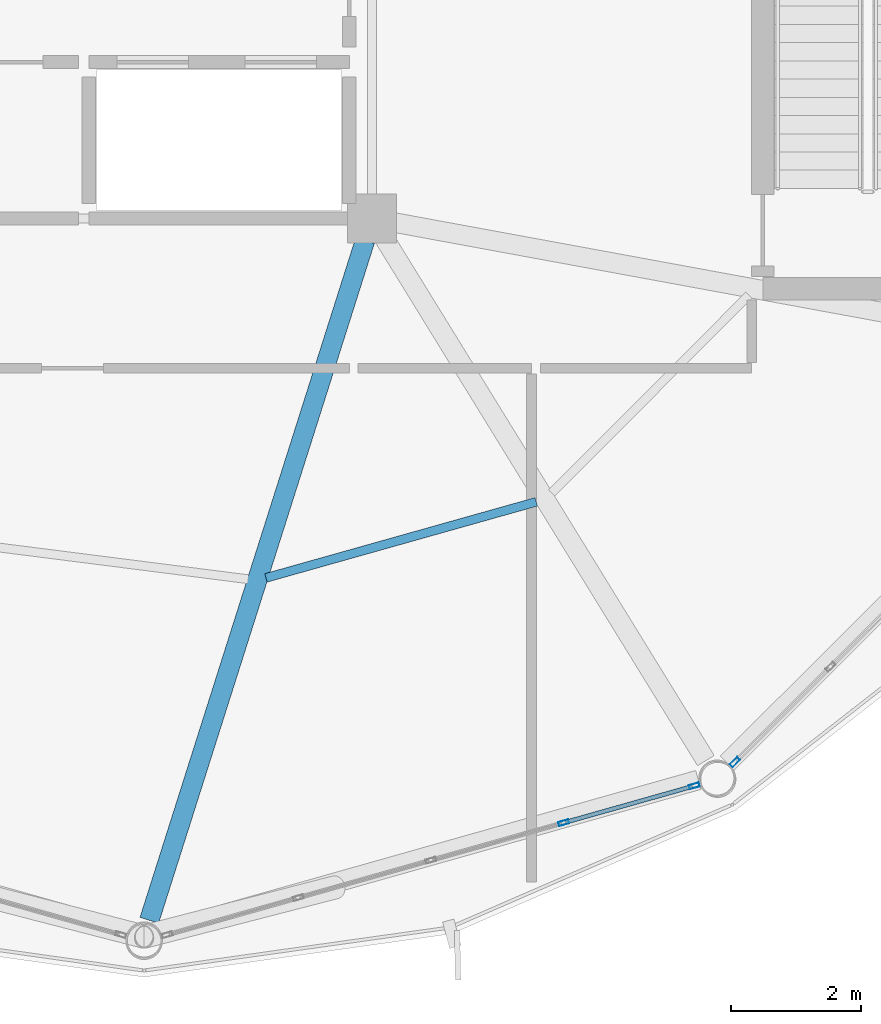
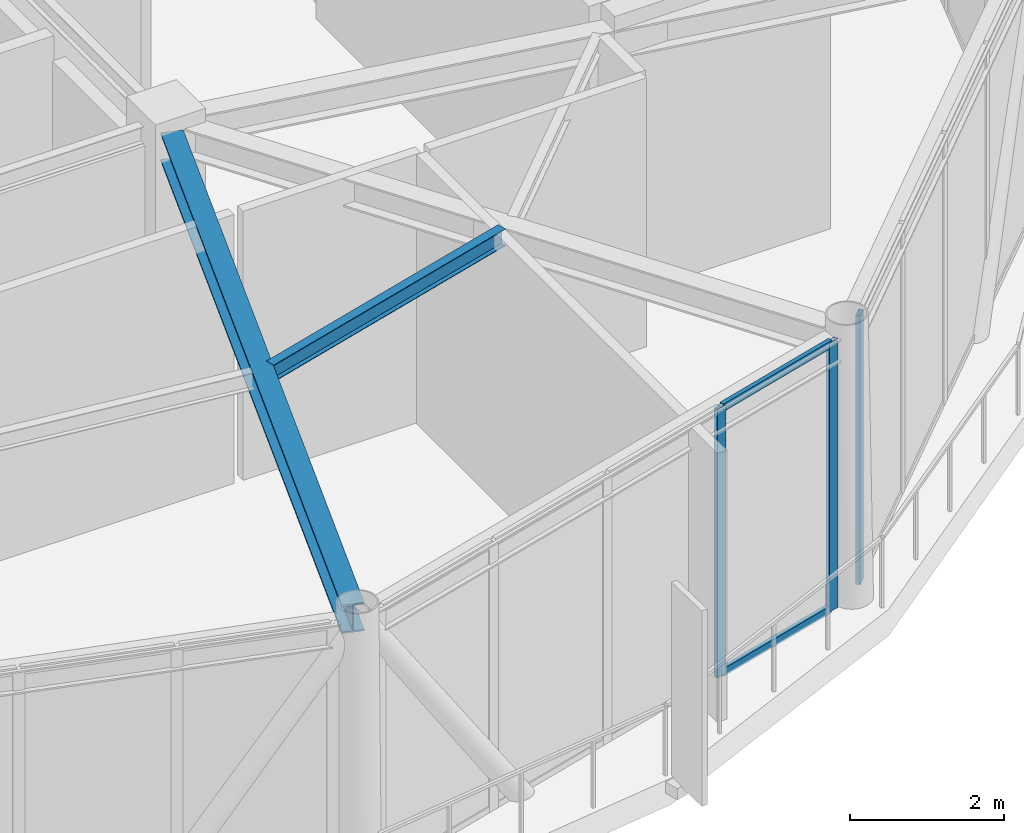
# One storey, part 7 of 26: 5 members, 2 beams, 2 elements without a shape of their own.
"""IFC4 building model written with IfcOpenShell, lengths in metres."""

from ifc_helpers import new_model, si_unit, direction, frame, origin, origin_2d, place, context, subcontext, project, spatial, hollow_rectangle, i_section, extrude, material, layer, layer_set, material_profile, profile_set, type_object, element, aggregate, save


model = new_model("IFC4")

# Units and contexts
model_context = context("Model", 3, precision=1e-05, world=origin(), true_north=direction((0.0, 1.0)))
body_context = subcontext(model_context, "Body", "Model", "MODEL_VIEW")
ifc_project = project(units=[si_unit("LENGTHUNIT", "METRE"), si_unit("AREAUNIT", "SQUARE_METRE"), si_unit("VOLUMEUNIT", "CUBIC_METRE"), si_unit("PLANEANGLEUNIT", "RADIAN"), si_unit("MASSUNIT", "GRAM", prefix="KILO")], contexts=[model_context])

# Site, building, storey
site_placement = place(None, origin())
site = spatial("IfcSite", under=ifc_project, at=site_placement, CompositionType="ELEMENT")
building_placement = place(site_placement, origin())
building = spatial("IfcBuilding", under=site, at=building_placement, Name="Varnakorn Sky Granary", CompositionType="ELEMENT")
storey_placement = place(building_placement, frame((0.0, 0.0, 289.5)))
storey = spatial("IfcBuildingStorey", under=building, at=storey_placement, Name="L74", CompositionType="ELEMENT", Elevation=289.5)

# Beams
ifc_material_1 = material(Name="Steel S355JR", Category="steel")
ifc_material_profile_1 = material_profile(ifc_material_1, i_section(OverallWidth=0.300048828125, OverallDepth=0.449951171875, WebThickness=0.013916015625, FlangeThickness=0.02587890625, at=origin_2d()), Name="HE 450 B")
ifc_profile_set_1 = profile_set([ifc_material_profile_1], Name="Steel S355JR")
beam_type_1 = type_object("IfcBeamType", Name="BM-RAD-Z5", PredefinedType="BEAM", material=ifc_profile_set_1)
beam_1_placement = place(storey_placement, frame((8.24267578125, -6.9384765625, 4.034912109375), z_axis=(-0.302491373228, -0.95315212276, 0.0), x_axis=(0.95315212276, -0.302491373228, 0.0)))
element("IfcBeam", 1, at=beam_1_placement, inside=storey, type_object=beam_type_1, Name="Radial Floor Girder RG10 L74", PredefinedType="BEAM", context=body_context, shape_type="SweptSolid", body=[
    extrude(i_section(OverallWidth=0.300048828125, OverallDepth=0.449951171875, WebThickness=0.013916015625, FlangeThickness=0.02587890625, at=origin_2d()), origin(), (0.0, 0.0, 1.0), 10.951416015625),
])
ifc_material_profile_2 = material_profile(ifc_material_1, i_section(OverallWidth=0.135009765625, OverallDepth=0.27001953125, WebThickness=0.006591796875, FlangeThickness=0.01025390625, at=origin_2d()), Name="IPE 270")
ifc_profile_set_2 = profile_set([ifc_material_profile_2], Name="Steel S355JR")
beam_type_2 = type_object("IfcBeamType", Name="BM-SEC-Z5", PredefinedType="BEAM", material=ifc_profile_set_2)
beam_2_placement = place(storey_placement, frame((6.72119140625, -12.11962890625, 4.125), z_axis=(0.962602032768, 0.270919409623, 0.0), x_axis=(-0.270919409623, 0.962602032768, 0.0)))
element("IfcBeam", 2, at=beam_2_placement, inside=storey, type_object=beam_type_2, Name="Secondary Floor Chord Beam MSB10 L74", PredefinedType="BEAM", context=body_context, shape_type="SweptSolid", body=[
    extrude(i_section(OverallWidth=0.135009765625, OverallDepth=0.27001953125, WebThickness=0.006591796875, FlangeThickness=0.01025390625, at=origin_2d()), origin(), (0.0, 0.0, 1.0), 4.31103515625),
])

# Curtain wall, members
ifc_material_2 = material(Name="Anodised Bronze Aluminium Alloy 6063-T6", Category="aluminium")
ifc_layer = layer(ifc_material_2, 0.159912109375, Name="Anodised Bronze Aluminium Alloy 6063-T6")
ifc_layer_set = layer_set([ifc_layer], Name="Anodised Bronze Aluminium Alloy 6063-T6")
curtain_wall_type = type_object("IfcCurtainWallType", Name="CW-OFF-1", PredefinedType="USERDEFINED", material=ifc_layer_set)
curtain_wall_1_placement = place(storey_placement, origin())
curtain_wall_1 = element("IfcCurtainWall", 3, at=curtain_wall_1_placement, inside=storey, type_object=curtain_wall_type, Name="Unitised Curtain Wall CW6 CW-L74-B10", ObjectType="CURTAIN WALL", PredefinedType="USERDEFINED")
ifc_material_profile_3 = material_profile(ifc_material_2, hollow_rectangle(XDim=0.06494140625, YDim=0.159912109375, WallThickness=0.00341796875, at=origin_2d()), Name="ALU MULL 65x160")
ifc_profile_set_3 = profile_set([ifc_material_profile_3], Name="Anodised Bronze Aluminium Alloy 6063-T6")
member_type_1 = type_object("IfcMemberType", Name="CW-OFF-1-MULL", PredefinedType="MULLION", material=ifc_profile_set_3)
member_1_placement = place(storey_placement, frame((13.299560546875, -15.312744140625, 0.0), z_axis=(0.0, 0.0, 1.0), x_axis=(0.271878363446, -0.962331624488, 0.0)))
member_1 = element("IfcMember", 4, at=member_1_placement, type_object=member_type_1, Name="CW6 mullion 1", PredefinedType="MULLION", context=body_context, shape_type="SweptSolid", body=[
    extrude(hollow_rectangle(XDim=0.06494140625, YDim=0.159912109375, WallThickness=0.00341796875, at=origin_2d()), origin(), (0.0, 0.0, 1.0), 4.260009765625),
])
member_2_placement = place(storey_placement, frame((11.292236328125, -15.8798828125, 0.0), z_axis=(0.0, 0.0, 1.0), x_axis=(0.271878363446, -0.962331624488, 0.0)))
member_2 = element("IfcMember", 5, at=member_2_placement, type_object=member_type_1, Name="CW6 mullion 2", PredefinedType="MULLION", context=body_context, shape_type="SweptSolid", body=[
    extrude(hollow_rectangle(XDim=0.06494140625, YDim=0.159912109375, WallThickness=0.00341796875, at=origin_2d()), origin(), (0.0, 0.0, 1.0), 4.260009765625),
])

# Curtain wall, member
curtain_wall_2_placement = place(storey_placement, origin())
curtain_wall_2 = element("IfcCurtainWall", 6, at=curtain_wall_2_placement, inside=storey, type_object=curtain_wall_type, Name="Unitised Curtain Wall CW6 CW-L74-B11", ObjectType="CURTAIN WALL", PredefinedType="USERDEFINED")
member_3_placement = place(storey_placement, frame((13.9208984375, -14.948974609375, 0.0), z_axis=(0.0, 0.0, 1.0), x_axis=(0.706103251086, -0.708108889088, 0.0)))
member_3 = element("IfcMember", 7, at=member_3_placement, type_object=member_type_1, Name="CW6 mullion 5", PredefinedType="MULLION", context=body_context, shape_type="SweptSolid", body=[
    extrude(hollow_rectangle(XDim=0.06494140625, YDim=0.159912109375, WallThickness=0.00341796875, at=origin_2d()), origin(), (0.0, 0.0, 1.0), 4.260009765625),
])
aggregate(curtain_wall_2, [member_3])

# Member
ifc_material_profile_4 = material_profile(ifc_material_2, hollow_rectangle(XDim=0.06494140625, YDim=0.1201171875, WallThickness=0.00341796875, at=origin_2d()), Name="ALU TRAN 65x120")
ifc_profile_set_4 = profile_set([ifc_material_profile_4], Name="Anodised Bronze Aluminium Alloy 6063-T6")
member_type_2 = type_object("IfcMemberType", Name="CW-OFF-1-TRAN", PredefinedType="USERDEFINED", material=ifc_profile_set_4)
member_4_placement = place(storey_placement, frame((13.268310546875, -15.32177734375, 0.032470703125), z_axis=(-0.962349256464, -0.271815946152, 0.0), x_axis=(0.271815946152, -0.962349256464, 0.0)))
member_4 = element("IfcMember", 8, at=member_4_placement, type_object=member_type_2, Name="CW6 transom 1.1", ObjectType="TRANSOM", PredefinedType="USERDEFINED", context=body_context, shape_type="SweptSolid", body=[
    extrude(hollow_rectangle(XDim=0.06494140625, YDim=0.1201171875, WallThickness=0.00341796875, at=origin_2d()), origin(), (0.0, 0.0, 1.0), 2.02099609375),
])

member_5_placement = place(storey_placement, frame((13.268310546875, -15.32177734375, 4.2275390625), z_axis=(-0.962349256464, -0.271815946152, 0.0), x_axis=(0.271815946152, -0.962349256464, 0.0)))
member_5 = element("IfcMember", 9, at=member_5_placement, type_object=member_type_2, Name="CW6 transom 1.2", ObjectType="TRANSOM", PredefinedType="USERDEFINED", context=body_context, shape_type="SweptSolid", body=[
    extrude(hollow_rectangle(XDim=0.06494140625, YDim=0.1201171875, WallThickness=0.00341796875, at=origin_2d()), origin(), (0.0, 0.0, 1.0), 2.02099609375),
])

aggregate(curtain_wall_1, [member_1, member_2, member_4, member_5])

save(model, "model.ifc")
